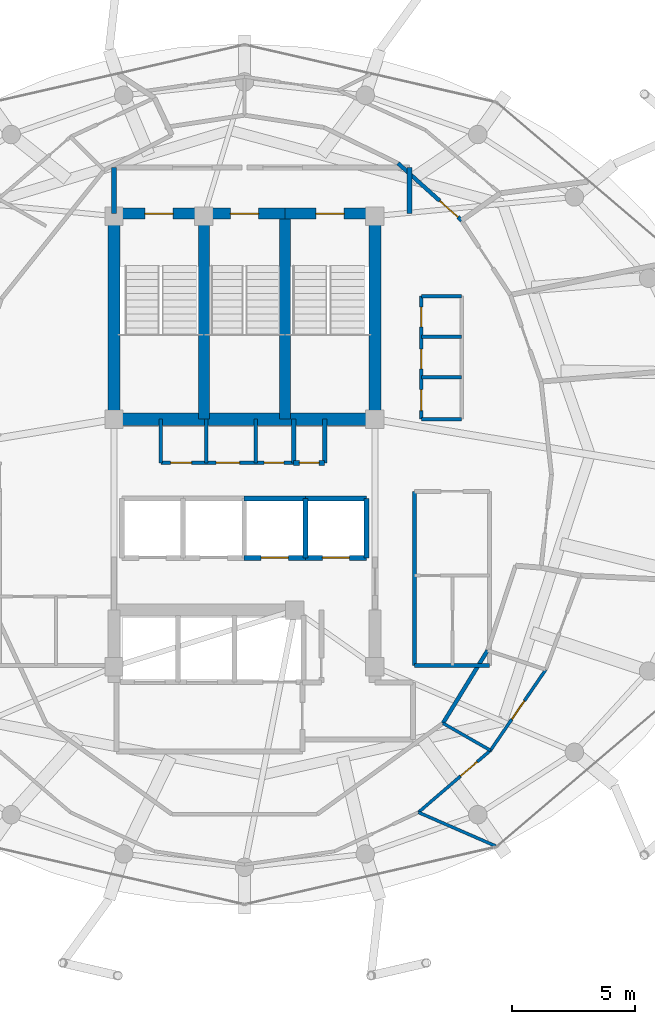
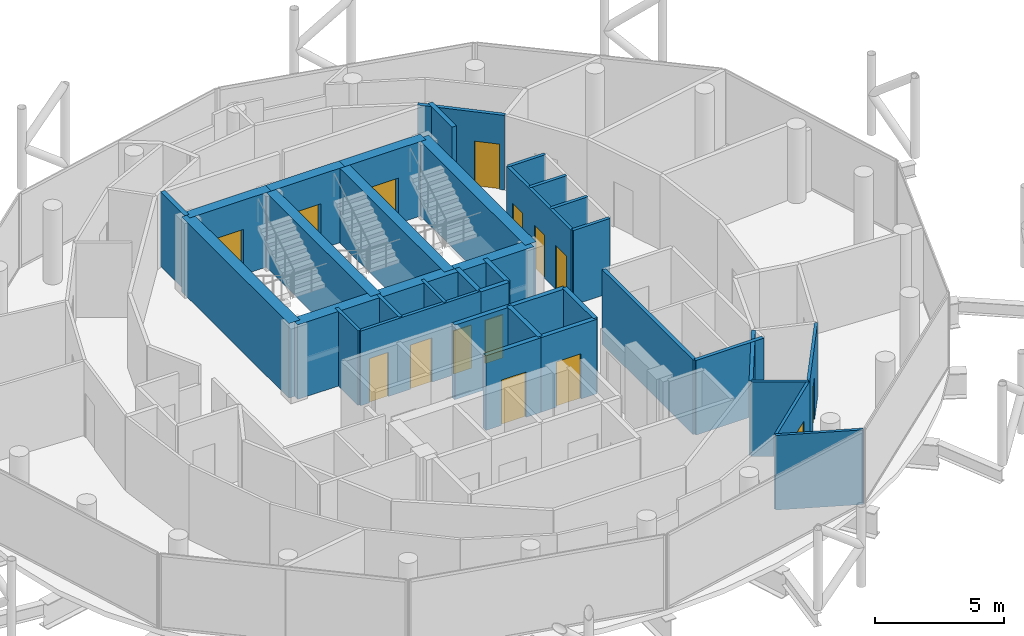
# One storey, part 22 of 25: 36 walls, 15 doors, 15 openings.
"""IFC4 building model written with IfcOpenShell, lengths in metres."""

import ifcopenshell
import ifcopenshell.guid

model = None  # the IFC model being written
_history = None  # IfcOwnerHistory: only IFC2X3 demands one
_inside = {}  # id of a spatial element -> (the spatial element, [elements in it])
_under = {}  # id of a project, library or spatial element -> (it, [spatial elements below it])
_declared = {}  # id of a project -> (the project, [libraries it declares])
_typed = {}  # id of a type object -> (the type object, [elements of that type])
_made_of = {}  # id of a material, layer set ... -> (it, [elements and type objects made of it])


def new_model(schema):
    """Start an empty IFC model of exactly this schema.

    Asked for "IFC4X3", IfcOpenShell would pick the latest addendum, in which some entities
    have other attributes; the version numbers below select the first issue.
    IFC2X3 requires an IfcOwnerHistory on every rooted entity: one is made here for all.
    """
    global model, _history
    if schema == "IFC4X3":
        model = ifcopenshell.file(schema_version=(4, 3, 0, 0))
    else:
        model = ifcopenshell.file(schema=schema)
    _inside.clear()
    _under.clear()
    _declared.clear()
    _typed.clear()
    _made_of.clear()
    _history = None
    if model.schema == "IFC2X3":
        org = make("IfcOrganization", Name="unknown")
        user = make(
            "IfcPersonAndOrganization",
            ThePerson=make("IfcPerson", FamilyName="unknown"),
            TheOrganization=org,
        )
        app = make(
            "IfcApplication",
            ApplicationDeveloper=org,
            Version="unknown",
            ApplicationFullName="unknown",
            ApplicationIdentifier="unknown",
        )
        _history = make(
            "IfcOwnerHistory",
            OwningUser=user,
            OwningApplication=app,
            ChangeAction="ADDED",
            CreationDate=0,
        )
    return model


def make(cls, **values):
    """One entity of the class cls with the attributes given. An attribute that is None is left unset."""
    return model.create_entity(
        cls, **{name: value for name, value in values.items() if value is not None}
    )


def rooted(cls, **values):
    """An entity with a GlobalId (a new one), such as an element, a storey or a relation."""
    return make(cls, GlobalId=ifcopenshell.guid.new(), OwnerHistory=_history, **values)


def si_unit(unit_type, name, prefix=None):
    """IfcSIUnit, for example si_unit("LENGTHUNIT", "METRE", prefix="MILLI")."""
    return make("IfcSIUnit", UnitType=unit_type, Prefix=prefix, Name=name)


def assignment(units):
    """IfcUnitAssignment: the units of a project."""
    return None if units is None else make("IfcUnitAssignment", Units=units)


def point(xyz):
    """IfcCartesianPoint."""
    return None if xyz is None else make("IfcCartesianPoint", Coordinates=xyz)


def direction(xyz):
    """IfcDirection."""
    return None if xyz is None else make("IfcDirection", DirectionRatios=xyz)


def frame(location, z_axis=None, x_axis=None):
    """IfcAxis2Placement3D, a coordinate frame: its origin and axes. An axis left out is left unset."""
    return make(
        "IfcAxis2Placement3D",
        Location=point(location),
        Axis=direction(z_axis),
        RefDirection=direction(x_axis),
    )


def frame_2d(location, x_axis=None):
    """IfcAxis2Placement2D, a coordinate frame in the plane: its origin and x axis."""
    return make(
        "IfcAxis2Placement2D", Location=point(location), RefDirection=direction(x_axis)
    )


def origin():
    """The frame at (0, 0, 0) with its axes left unset."""
    return frame((0.0, 0.0, 0.0))


def place(relative_to, where):
    """IfcLocalPlacement: puts the frame where relative to a parent placement (None: the world)."""
    return make(
        "IfcLocalPlacement", PlacementRelTo=relative_to, RelativePlacement=where
    )


def context(
    kind, dimensions, precision=None, world=None, true_north=None, identifier=None
):
    """IfcGeometricRepresentationContext, for example the 3D "Model" context."""
    return make(
        "IfcGeometricRepresentationContext",
        ContextIdentifier=identifier,
        ContextType=kind,
        CoordinateSpaceDimension=dimensions,
        Precision=precision,
        WorldCoordinateSystem=world,
        TrueNorth=true_north,
    )


def subcontext(parent, identifier, kind, view, scale=None):
    """IfcGeometricRepresentationSubContext, for example "Body" below "Model"."""
    return make(
        "IfcGeometricRepresentationSubContext",
        ContextIdentifier=identifier,
        ContextType=kind,
        ParentContext=parent,
        TargetScale=scale,
        TargetView=view,
    )


def project(units=None, contexts=None):
    """IfcProject with its units and contexts."""
    return rooted(
        "IfcProject",
        Name="project",
        RepresentationContexts=contexts,
        UnitsInContext=assignment(units),
    )


def spatial(cls, under=None, at=None, **own):
    """A site, building, storey or space (cls), placed at a placement, below another one or the project."""
    s = rooted(cls, ObjectPlacement=at, **own)
    if under is not None:
        _under.setdefault(under.id(), (under, []))[1].append(s)
    return s


def profile(cls, at=None, kind="AREA", **sizes):
    """A parametric profile (cls). Its sizes go by their IFC names, for example OverallWidth=200.0."""
    return make(cls, ProfileType=kind, Position=at, **sizes)


def rectangle(**sizes):
    """IfcRectangleProfileDef."""
    return profile("IfcRectangleProfileDef", **sizes)


def extrude(swept, where, along, depth):
    """IfcExtrudedAreaSolid: the profile swept, set in the frame where, extruded along a direction by depth."""
    return make(
        "IfcExtrudedAreaSolid",
        SweptArea=swept,
        Position=where,
        ExtrudedDirection=direction(along),
        Depth=depth,
    )


def shape(context_of_items, identifier, shape_type, items):
    """IfcShapeRepresentation: the items that make up one representation, for example the "Body"."""
    return make(
        "IfcShapeRepresentation",
        ContextOfItems=context_of_items,
        RepresentationIdentifier=identifier,
        RepresentationType=shape_type,
        Items=items,
    )


def material(Name=None, Category=None):
    """IfcMaterial."""
    return make("IfcMaterial", Name=Name, Category=Category)


def layer(
    of_material, thickness, ventilated=None, Name=None, Category=None, Priority=None
):
    """IfcMaterialLayer: one layer of a wall or slab, of a material (None: an air gap)."""
    return make(
        "IfcMaterialLayer",
        Material=of_material,
        LayerThickness=thickness,
        IsVentilated=ventilated,
        Name=Name,
        Category=Category,
        Priority=Priority,
    )


def layer_set(layers, Name=None):
    """IfcMaterialLayerSet."""
    return make("IfcMaterialLayerSet", MaterialLayers=layers, LayerSetName=Name)


def made_of(thing, what):
    """Note that an element or type object is made of a material, layer set ...; save() writes the relation."""
    if what is not None:
        _made_of.setdefault(what.id(), (what, []))[1].append(thing)
    return thing


def type_object(cls, material=None, **own):
    """A type object (cls), such as IfcWallType, which elements share."""
    return made_of(rooted(cls, **own), material)


def element(
    cls,
    number,
    at=None,
    inside=None,
    cuts=None,
    type_object=None,
    material=None,
    context=None,
    identifier="Body",
    shape_type=None,
    held_by="IfcProductDefinitionShape",
    body=None,
    shapes=None,
    **own,
):
    """One element of the class cls, such as IfcWall. Its Tag is "e" and its number.

    at: its placement. inside: the storey or other place that contains it. cuts: it is an
    opening in that element (IfcRelVoidsElement). A single representation is given by context,
    identifier, shape_type and body (its items); several are given by shapes. held_by: the class
    of the entity that holds the representations. save() writes the other relations.
    """
    e = rooted(cls, Tag="e%d" % number, ObjectPlacement=at, **own)
    if body is not None:
        shapes = [shape(context, identifier, shape_type, body)]
    if shapes is not None:
        e.Representation = make(held_by, Representations=shapes)
    if inside is not None:
        _inside.setdefault(inside.id(), (inside, []))[1].append(e)
    if cuts is not None:
        rooted(
            "IfcRelVoidsElement", RelatingBuildingElement=cuts, RelatedOpeningElement=e
        )
    if type_object is not None:
        _typed.setdefault(type_object.id(), (type_object, []))[1].append(e)
    return made_of(e, material)


def fill(opening, filler):
    """IfcRelFillsElement: the door or window that sits in an opening."""
    return rooted(
        "IfcRelFillsElement",
        RelatingOpeningElement=opening,
        RelatedBuildingElement=filler,
    )


def aggregate(whole, parts):
    """IfcRelAggregates: a whole, such as a stair, and the parts it consists of."""
    return rooted("IfcRelAggregates", RelatingObject=whole, RelatedObjects=parts)


def save(model, path):
    """Write the relations noted so far, then the file.

    IfcRelAggregates (storeys below a building ...), IfcRelContainedInSpatialStructure (elements
    in a storey), IfcRelDefinesByType, IfcRelAssociatesMaterial and IfcRelDeclares: one each for
    every whole, place, type object, material and project.
    """
    for whole, parts in _under.values():
        aggregate(whole, parts)
    for where, things in _inside.values():
        rooted(
            "IfcRelContainedInSpatialStructure",
            RelatedElements=things,
            RelatingStructure=where,
        )
    for kind, things in _typed.values():
        rooted("IfcRelDefinesByType", RelatedObjects=things, RelatingType=kind)
    for what, things in _made_of.values():
        rooted("IfcRelAssociatesMaterial", RelatedObjects=things, RelatingMaterial=what)
    for by, libraries in _declared.values():
        rooted("IfcRelDeclares", RelatingContext=by, RelatedDefinitions=libraries)
    model.write(path)


model = new_model("IFC4")

# Units and contexts
model_context = context("Model", 3, precision=1e-05, world=origin(), true_north=direction((0.0, 1.0)))
body_context = subcontext(model_context, "Body", "Model", "MODEL_VIEW")
ifc_project = project(units=[si_unit("LENGTHUNIT", "METRE"), si_unit("AREAUNIT", "SQUARE_METRE"), si_unit("VOLUMEUNIT", "CUBIC_METRE"), si_unit("PLANEANGLEUNIT", "RADIAN"), si_unit("MASSUNIT", "GRAM", prefix="KILO")], contexts=[model_context])

# Site, building, storey
site_placement = place(None, origin())
site = spatial("IfcSite", under=ifc_project, at=site_placement, CompositionType="ELEMENT")
building_placement = place(site_placement, origin())
building = spatial("IfcBuilding", under=site, at=building_placement, Name="Nuhasar Tower", CompositionType="ELEMENT")
storey_placement = place(building_placement, frame((0.0, 0.0, 255.60009765625)))
storey = spatial("IfcBuildingStorey", under=building, at=storey_placement, Name="L63", CompositionType="ELEMENT", Elevation=255.60009765625)

# Wall, opening, door
ifc_material_1 = material(Name="Concrete C50/60", Category="concrete")
ifc_layer_1 = layer(ifc_material_1, 0.449951171875)
ifc_layer_set_1 = layer_set([ifc_layer_1], Name="Concrete C50/60")
wall_type_1 = type_object("IfcWallType", Name="WL-CORE-450", PredefinedType="SHEAR", material=ifc_layer_set_1)
wall_1_placement = place(storey_placement, frame((37.35009765625, 37.39990234375, 0.0), z_axis=(0.0, 0.0, 1.0), x_axis=(-1.0, 0.0, 0.0)))
wall_1 = element("IfcWall", 1, at=wall_1_placement, inside=storey, type_object=wall_type_1, Name="L63 Stairwell Shear Wall ST01-N", PredefinedType="SHEAR", context=body_context, shape_type="SweptSolid", body=[
    extrude(rectangle(XDim=3.650146484375, YDim=0.449951171875, at=frame_2d((1.8251953125, 0.0))), origin(), (0.0, 0.0, 1.0), 3.539794921875),
])
opening_1_placement = place(wall_1_placement, frame((1.25, 0.0, 0.0)))
opening_1 = element("IfcOpeningElement", 2, at=opening_1_placement, cuts=wall_1, Name="Opening DS-01", PredefinedType="OPENING", context=body_context, shape_type="SweptSolid", body=[
    extrude(rectangle(XDim=1.14990234375, YDim=2.14990234375, at=frame_2d((0.574951171875, 1.074951171875))), frame((0.0, 0.23486328125, 0.0), z_axis=(0.0, -1.0, 0.0), x_axis=(1.0, 0.0, 0.0)), (0.0, 0.0, 1.0), 0.469970703125),
])
ifc_material_2 = material(Name="Steel S355", Category="steel")
door_type_1 = type_object("IfcDoorType", Name="DR-STAIR-FD120-1150", OperationType="NOTDEFINED", PredefinedType="DOOR", material=ifc_material_2)
door_1_placement = place(opening_1_placement, origin())
door_1 = element("IfcDoor", 3, at=door_1_placement, inside=storey, type_object=door_type_1, Name="L63 Exit Stair ST-01 Door", OperationType="SINGLE_SWING_RIGHT", OverallHeight=2.14990234375, OverallWidth=1.14990234375, PredefinedType="DOOR", context=body_context, shape_type="SweptSolid", body=[
    extrude(rectangle(XDim=1.14990234375, YDim=2.14990234375, at=frame_2d((0.574951171875, 1.074951171875))), frame((0.0, 0.02490234375, 0.0), z_axis=(0.0, -1.0, 0.0), x_axis=(1.0, 0.0, 0.0)), (0.0, 0.0, 1.0), 0.050048828125),
])
fill(opening_1, door_1)

# Wall
wall_2_placement = place(storey_placement, frame((37.35009765625, 29.050048828125, 0.0), z_axis=(0.0, 0.0, 1.0), x_axis=(0.0, 1.0, 0.0)))
element("IfcWall", 4, at=wall_2_placement, inside=storey, type_object=wall_type_1, Name="L63 Stairwell Shear Wall ST01-E", PredefinedType="SHEAR", context=body_context, shape_type="SweptSolid", body=[
    extrude(rectangle(XDim=8.349853515625, YDim=0.449951171875, at=frame_2d((4.1748046875, 0.0))), origin(), (0.0, 0.0, 1.0), 3.539794921875),
])

# Wall, opening, door
wall_3_placement = place(storey_placement, frame((40.64990234375, 37.39990234375, 0.0), z_axis=(0.0, 0.0, 1.0), x_axis=(-1.0, 0.0, 0.0)))
wall_3 = element("IfcWall", 5, at=wall_3_placement, inside=storey, type_object=wall_type_1, Name="L63 Stairwell Shear Wall ST03-N", PredefinedType="SHEAR", context=body_context, shape_type="SweptSolid", body=[
    extrude(rectangle(XDim=3.2998046875, YDim=0.449951171875, at=frame_2d((1.64990234375, 0.0))), origin(), (0.0, 0.0, 1.0), 3.539794921875),
])
opening_2_placement = place(wall_3_placement, frame((1.074951171875, 0.0, 0.0)))
opening_2 = element("IfcOpeningElement", 6, at=opening_2_placement, cuts=wall_3, Name="Opening DS-01", PredefinedType="OPENING", context=body_context, shape_type="SweptSolid", body=[
    extrude(rectangle(XDim=1.14990234375, YDim=2.14990234375, at=frame_2d((0.574951171875, 1.074951171875))), frame((0.0, 0.23486328125, 0.0), z_axis=(0.0, -1.0, 0.0), x_axis=(1.0, 0.0, 0.0)), (0.0, 0.0, 1.0), 0.469970703125),
])
door_2_placement = place(opening_2_placement, origin())
door_2 = element("IfcDoor", 7, at=door_2_placement, inside=storey, type_object=door_type_1, Name="L63 Exit Stair ST-03 Door", OperationType="SINGLE_SWING_RIGHT", OverallHeight=2.14990234375, OverallWidth=1.14990234375, PredefinedType="DOOR", context=body_context, shape_type="SweptSolid", body=[
    extrude(rectangle(XDim=1.14990234375, YDim=2.14990234375, at=frame_2d((0.574951171875, 1.074951171875))), frame((0.0, 0.02490234375, 0.0), z_axis=(0.0, -1.0, 0.0), x_axis=(1.0, 0.0, 0.0)), (0.0, 0.0, 1.0), 0.050048828125),
])
fill(opening_2, door_2)

# Wall
wall_4_placement = place(storey_placement, frame((40.64990234375, 29.050048828125, 0.0), z_axis=(0.0, 0.0, 1.0), x_axis=(0.0, 1.0, 0.0)))
element("IfcWall", 8, at=wall_4_placement, inside=storey, type_object=wall_type_1, Name="L63 Stairwell Shear Wall ST03-E", PredefinedType="SHEAR", context=body_context, shape_type="SweptSolid", body=[
    extrude(rectangle(XDim=8.349853515625, YDim=0.449951171875, at=frame_2d((4.1748046875, 0.0))), origin(), (0.0, 0.0, 1.0), 3.539794921875),
])

# Wall, opening, door
wall_5_placement = place(storey_placement, frame((44.300048828125, 37.39990234375, 0.0), z_axis=(0.0, 0.0, 1.0), x_axis=(-1.0, 0.0, 0.0)))
wall_5 = element("IfcWall", 9, at=wall_5_placement, inside=storey, type_object=wall_type_1, Name="L63 Stairwell Shear Wall ST02-N", PredefinedType="SHEAR", context=body_context, shape_type="SweptSolid", body=[
    extrude(rectangle(XDim=3.650146484375, YDim=0.449951171875, at=frame_2d((1.8251953125, 0.0))), origin(), (0.0, 0.0, 1.0), 3.539794921875),
])
opening_3_placement = place(wall_5_placement, frame((1.25, 0.0, 0.0)))
opening_3 = element("IfcOpeningElement", 10, at=opening_3_placement, cuts=wall_5, Name="Opening DS-01", PredefinedType="OPENING", context=body_context, shape_type="SweptSolid", body=[
    extrude(rectangle(XDim=1.14990234375, YDim=2.14990234375, at=frame_2d((0.574951171875, 1.074951171875))), frame((0.0, 0.23486328125, 0.0), z_axis=(0.0, -1.0, 0.0), x_axis=(1.0, 0.0, 0.0)), (0.0, 0.0, 1.0), 0.469970703125),
])
door_3_placement = place(opening_3_placement, origin())
door_3 = element("IfcDoor", 11, at=door_3_placement, inside=storey, type_object=door_type_1, Name="L63 Exit Stair ST-02 Door", OperationType="SINGLE_SWING_LEFT", OverallHeight=2.14990234375, OverallWidth=1.14990234375, PredefinedType="DOOR", context=body_context, shape_type="SweptSolid", body=[
    extrude(rectangle(XDim=1.14990234375, YDim=2.14990234375, at=frame_2d((0.574951171875, 1.074951171875))), frame((0.0, 0.02490234375, 0.0), z_axis=(0.0, -1.0, 0.0), x_axis=(1.0, 0.0, 0.0)), (0.0, 0.0, 1.0), 0.050048828125),
])
fill(opening_3, door_3)

# Walls
ifc_layer_2 = layer(ifc_material_1, 0.5)
ifc_layer_set_2 = layer_set([ifc_layer_2], Name="Concrete C50/60")
wall_type_2 = type_object("IfcWallType", Name="WL-CORE-500", PredefinedType="SHEAR", material=ifc_layer_set_2)
for number, where, z_axis, x_axis, name in (
    (12, (33.699951171875, 29.050048828125, 0.0), (0.0, 0.0, 1.0), (0.0, 1.0, 0.0), "L63 Core Shear Wall CW-NW CW-500"),
    (13, (44.300048828125, 29.050048828125, 0.0), (0.0, 0.0, 1.0), (0.0, 1.0, 0.0), "L63 Core Shear Wall CW-NE CW-500"),
):
    element("IfcWall", number, at=place(storey_placement, frame(where, z_axis=z_axis, x_axis=x_axis)), inside=storey, type_object=wall_type_2, Name=name, PredefinedType="SHEAR", context=body_context, shape_type="SweptSolid", body=[
        extrude(rectangle(XDim=8.349853515625, YDim=0.5, at=frame_2d((4.1748046875, 0.0))), origin(), (0.0, 0.0, 1.0), 3.539794921875),
    ])
wall_6_placement = place(storey_placement, frame((33.699951171875, 29.050048828125, 0.0), z_axis=(0.0, 0.0, 1.0), x_axis=(1.0, 0.0, 0.0)))
element("IfcWall", 14, at=wall_6_placement, inside=storey, type_object=wall_type_2, Name="L63 Core Shear Wall CW-N1 CW-500", PredefinedType="SHEAR", context=body_context, shape_type="SweptSolid", body=[
    extrude(rectangle(XDim=10.60009765625, YDim=0.5, at=frame_2d((5.300048828125, 0.0))), origin(), (0.0, 0.0, 1.0), 3.539794921875),
])
ifc_material_3 = material(Name="Gypsum Board", Category="gypsum")
ifc_layer_3 = layer(ifc_material_3, 0.159912109375)
ifc_layer_set_3 = layer_set([ifc_layer_3], Name="Gypsum Board")
wall_type_3 = type_object("IfcWallType", Name="WL-CORR-160", PredefinedType="PARTITIONING", material=ifc_layer_set_3)
wall_7_placement = place(storey_placement, frame((45.89990234375, 19.050048828125, 0.0), z_axis=(0.0, 0.0, 1.0), x_axis=(1.0, 0.0, 0.0)))
element("IfcWall", 15, at=wall_7_placement, inside=storey, type_object=wall_type_3, Name="L63 Interior Partition RECL-B2-S", PredefinedType="PARTITIONING", context=body_context, shape_type="SweptSolid", body=[
    extrude(rectangle(XDim=3.050048828125, YDim=0.159912109375, at=frame_2d((1.52490234375, 0.0))), origin(), (0.0, 0.0, 1.0), 3.539794921875),
])
wall_8_placement = place(storey_placement, frame((45.89990234375, 19.050048828125, 0.0), z_axis=(0.0, 0.0, 1.0), x_axis=(0.0, 1.0, 0.0)))
element("IfcWall", 16, at=wall_8_placement, inside=storey, type_object=wall_type_3, Name="L63 Interior Partition RECL-B2-W", PredefinedType="PARTITIONING", context=body_context, shape_type="SweptSolid", body=[
    extrude(rectangle(XDim=7.070068359375, YDim=0.159912109375, at=frame_2d((3.53515625, 0.0))), origin(), (0.0, 0.0, 1.0), 3.539794921875),
])

# Wall, opening, door
wall_9_placement = place(storey_placement, frame((45.235107421875, 39.444091796875, 0.0), z_axis=(0.0, 0.0, 1.0), x_axis=(0.743958104357, -0.668226263299, 0.0)))
wall_9 = element("IfcWall", 17, at=wall_9_placement, inside=storey, type_object=wall_type_3, Name="L63 Interior Partition CORR-06", PredefinedType="PARTITIONING", context=body_context, shape_type="SweptSolid", body=[
    extrude(rectangle(XDim=3.471923828125, YDim=0.159912109375, at=frame_2d((1.73583984375, 0.0))), origin(), (0.0, 0.0, 1.0), 3.539794921875),
])
opening_4_placement = place(wall_9_placement, frame((2.27197265625, 0.0, 0.0)))
opening_4 = element("IfcOpeningElement", 18, at=opening_4_placement, cuts=wall_9, Name="Opening DU-02", PredefinedType="OPENING", context=body_context, shape_type="SweptSolid", body=[
    extrude(rectangle(XDim=1.0, YDim=2.14990234375, at=frame_2d((0.5, 1.074951171875))), frame((0.0, 0.08984375, 0.0), z_axis=(0.0, -1.0, 0.0), x_axis=(1.0, 0.0, 0.0)), (0.0, 0.0, 1.0), 0.179931640625),
])
ifc_material_4 = material(Name="Timber Oak", Category="wood")
door_type_2 = type_object("IfcDoorType", Name="DR-FLAT-FD60-1000", OperationType="NOTDEFINED", PredefinedType="DOOR", material=ifc_material_4)
door_4_placement = place(opening_4_placement, origin())
door_4 = element("IfcDoor", 19, at=door_4_placement, inside=storey, type_object=door_type_2, Name="L63 North-East Sky Penthouse Entrance Door", OperationType="SINGLE_SWING_RIGHT", OverallHeight=2.14990234375, OverallWidth=1.0, PredefinedType="DOOR", context=body_context, shape_type="SweptSolid", body=[
    extrude(rectangle(XDim=1.0, YDim=2.14990234375, at=frame_2d((0.5, 1.074951171875))), frame((0.0, 0.02490234375, 0.0), z_axis=(0.0, -1.0, 0.0), x_axis=(1.0, 0.0, 0.0)), (0.0, 0.0, 1.0), 0.050048828125),
])
fill(opening_4, door_4)

# Walls
wall_10_placement = place(storey_placement, frame((47.06103515625, 16.702880859375, 0.0), z_axis=(0.0, 0.0, 1.0), x_axis=(0.522486120877, 0.852647789823, 0.0)))
element("IfcWall", 20, at=wall_10_placement, inside=storey, type_object=wall_type_3, Name="L63 Interior Partition UWEST-CORE-S1-42", PredefinedType="PARTITIONING", context=body_context, shape_type="SweptSolid", body=[
    extrude(rectangle(XDim=3.468017578125, YDim=0.159912109375, at=frame_2d((1.73388671875, 0.0))), origin(), (0.0, 0.0, 1.0), 3.539794921875),
])
ifc_material_5 = material(Name="Concrete C45/55", Category="concrete")
ifc_layer_4 = layer(ifc_material_5, 0.199951171875)
ifc_layer_set_4 = layer_set([ifc_layer_4], Name="Concrete C45/55")
wall_type_4 = type_object("IfcWallType", Name="WL-LOBBY-200", PredefinedType="SOLIDWALL", material=ifc_layer_set_4)
for number, where, z_axis, x_axis, name in (
    (21, (33.699951171875, 37.39990234375, 0.0), (0.0, 0.0, 1.0), (0.0, 1.0, 0.0), "L63 Interior Partition NSL-W"),
    (22, (45.699951171875, 37.39990234375, 0.0), (0.0, 0.0, 1.0), (0.0, 1.0, 0.0), "L63 Interior Partition NSL-E"),
):
    element("IfcWall", number, at=place(storey_placement, frame(where, z_axis=z_axis, x_axis=x_axis)), inside=storey, type_object=wall_type_4, Name=name, PredefinedType="SOLIDWALL", context=body_context, shape_type="SweptSolid", body=[
        extrude(rectangle(XDim=1.880126953125, YDim=0.199951171875, at=frame_2d((0.93994140625, 0.0))), origin(), (0.0, 0.0, 1.0), 3.539794921875),
    ])

# Wall, opening, door
ifc_layer_5 = layer(ifc_material_3, 0.125)
ifc_layer_set_5 = layer_set([ifc_layer_5], Name="Gypsum Board")
wall_type_5 = type_object("IfcWallType", Name="WL-PART-125", PredefinedType="PARTITIONING", material=ifc_layer_set_5)
wall_11_placement = place(storey_placement, frame((51.237060546875, 18.8798828125, 0.0), z_axis=(0.0, 0.0, 1.0), x_axis=(-0.5649172284, -0.825147577744, 0.0)))
wall_11 = element("IfcWall", 23, at=wall_11_placement, inside=storey, type_object=wall_type_5, Name="L63 Interior Partition USM-2-K-42", PredefinedType="PARTITIONING", context=body_context, shape_type="SweptSolid", body=[
    extrude(rectangle(XDim=3.97607421875, YDim=0.125, at=frame_2d((1.988037109375, 0.0))), origin(), (0.0, 0.0, 1.0), 3.539794921875),
])
opening_5_placement = place(wall_11_placement, frame((1.5380859375, 0.0, 0.0)))
opening_5 = element("IfcOpeningElement", 24, at=opening_5_placement, cuts=wall_11, Name="Opening DR-01", PredefinedType="OPENING", context=body_context, shape_type="SweptSolid", body=[
    extrude(rectangle(XDim=0.89990234375, YDim=2.10009765625, at=frame_2d((0.449951171875, 1.050048828125))), frame((0.0, 0.072509765625, 0.0), z_axis=(0.0, -1.0, 0.0), x_axis=(1.0, 0.0, 0.0)), (0.0, 0.0, 1.0), 0.14501953125),
])
door_type_3 = type_object("IfcDoorType", Name="DR-ROOM-900", OperationType="NOTDEFINED", PredefinedType="DOOR", material=ifc_material_4)
door_5_placement = place(opening_5_placement, origin())
door_5 = element("IfcDoor", 25, at=door_5_placement, inside=storey, type_object=door_type_3, Name="L63 South-West Sky Home Kitchen Door", OperationType="SINGLE_SWING_LEFT", OverallHeight=2.10009765625, OverallWidth=0.89990234375, PredefinedType="DOOR", context=body_context, shape_type="SweptSolid", body=[
    extrude(rectangle(XDim=0.89990234375, YDim=2.10009765625, at=frame_2d((0.449951171875, 1.050048828125))), frame((0.0, 0.02490234375, 0.0), z_axis=(0.0, -1.0, 0.0), x_axis=(1.0, 0.0, 0.0)), (0.0, 0.0, 1.0), 0.050048828125),
])
fill(opening_5, door_5)

# Wall
wall_12_placement = place(storey_placement, frame((47.06103515625, 16.702880859375, 0.0), z_axis=(0.0, 0.0, 1.0), x_axis=(0.868060627231, -0.496458203126, 0.0)))
element("IfcWall", 26, at=wall_12_placement, inside=storey, type_object=wall_type_5, Name="L63 Interior Partition USI-2-DK", PredefinedType="PARTITIONING", context=body_context, shape_type="SweptSolid", body=[
    extrude(rectangle(XDim=2.223388671875, YDim=0.125, at=frame_2d((1.11181640625, 0.0))), origin(), (0.0, 0.0, 1.0), 3.539794921875),
])

# Wall, opening, door
wall_13_placement = place(storey_placement, frame((48.990966796875, 15.59912109375, 0.0), z_axis=(0.0, 0.0, 1.0), x_axis=(-0.758094504626, -0.652144709444, 0.0)))
wall_13 = element("IfcWall", 27, at=wall_13_placement, inside=storey, type_object=wall_type_5, Name="L63 Interior Partition USM-2-D-40", PredefinedType="PARTITIONING", context=body_context, shape_type="SweptSolid", body=[
    extrude(rectangle(XDim=3.859619140625, YDim=0.125, at=frame_2d((1.9296875, 0.0))), origin(), (0.0, 0.0, 1.0), 3.539794921875),
])
opening_6_placement = place(wall_13_placement, frame((0.701904296875, 0.0, 0.0)))
opening_6 = element("IfcOpeningElement", 28, at=opening_6_placement, cuts=wall_13, Name="Opening DR-01", PredefinedType="OPENING", context=body_context, shape_type="SweptSolid", body=[
    extrude(rectangle(XDim=0.89990234375, YDim=2.10009765625, at=frame_2d((0.449951171875, 1.050048828125))), frame((0.0, 0.072509765625, 0.0), z_axis=(0.0, -1.0, 0.0), x_axis=(1.0, 0.0, 0.0)), (0.0, 0.0, 1.0), 0.14501953125),
])
door_6_placement = place(opening_6_placement, origin())
door_6 = element("IfcDoor", 29, at=door_6_placement, inside=storey, type_object=door_type_3, Name="L63 South-West Sky Home Master Bedroom Door", OperationType="SINGLE_SWING_LEFT", OverallHeight=2.10009765625, OverallWidth=0.89990234375, PredefinedType="DOOR", context=body_context, shape_type="SweptSolid", body=[
    extrude(rectangle(XDim=0.89990234375, YDim=2.10009765625, at=frame_2d((0.449951171875, 1.050048828125))), frame((0.0, 0.02490234375, 0.0), z_axis=(0.0, -1.0, 0.0), x_axis=(1.0, 0.0, 0.0)), (0.0, 0.0, 1.0), 0.050048828125),
])
fill(opening_6, door_6)

# Walls
wall_14_placement = place(storey_placement, frame((46.06494140625, 13.08203125, 0.0), z_axis=(0.0, 0.0, 1.0), x_axis=(0.916707983788, -0.399557846199, 0.0)))
element("IfcWall", 30, at=wall_14_placement, inside=storey, type_object=wall_type_5, Name="L63 Interior Partition USO-2-BD", PredefinedType="PARTITIONING", context=body_context, shape_type="SweptSolid", body=[
    extrude(rectangle(XDim=3.43408203125, YDim=0.125, at=frame_2d((1.717041015625, 0.0))), origin(), (0.0, 0.0, 1.0), 3.539794921875),
])
ifc_layer_6 = layer(ifc_material_5, 0.199951171875)
ifc_layer_set_6 = layer_set([ifc_layer_6], Name="Concrete C45/55")
wall_type_6 = type_object("IfcWallType", Name="WL-SHAFT-200", PredefinedType="SOLIDWALL", material=ifc_layer_set_6)
for number, where, z_axis, x_axis, name in (
    (31, (41.0, 27.280029296875, 0.0), (0.0, 0.0, 1.0), (0.0, 1.0, 0.0), "L63 Interior Partition RSRN-W"),
    (32, (42.260009765625, 27.280029296875, 0.0), (0.0, 0.0, 1.0), (0.0, 1.0, 0.0), "L63 Interior Partition RSRN-E"),
):
    element("IfcWall", number, at=place(storey_placement, frame(where, z_axis=z_axis, x_axis=x_axis)), inside=storey, type_object=wall_type_6, Name=name, PredefinedType="SOLIDWALL", context=body_context, shape_type="SweptSolid", body=[
        extrude(rectangle(XDim=1.77001953125, YDim=0.199951171875, at=frame_2d((0.885009765625, 0.0))), origin(), (0.0, 0.0, 1.0), 3.539794921875),
    ])

# Wall, opening, door
wall_15_placement = place(storey_placement, frame((41.0, 27.280029296875, 0.0), z_axis=(0.0, 0.0, 1.0), x_axis=(1.0, 0.0, 0.0)))
wall_15 = element("IfcWall", 33, at=wall_15_placement, inside=storey, type_object=wall_type_6, Name="L63 Interior Partition RSRN-S", PredefinedType="SOLIDWALL", context=body_context, shape_type="SweptSolid", body=[
    extrude(rectangle(XDim=1.260009765625, YDim=0.199951171875, at=frame_2d((0.6298828125, 0.0))), origin(), (0.0, 0.0, 1.0), 3.539794921875),
])
opening_7_placement = place(wall_15_placement, frame((0.22998046875, 0.0, 0.0)))
opening_7 = element("IfcOpeningElement", 34, at=opening_7_placement, cuts=wall_15, Name="Opening DM-01", PredefinedType="OPENING", context=body_context, shape_type="SweptSolid", body=[
    extrude(rectangle(XDim=0.800048828125, YDim=2.050048828125, at=frame_2d((0.39990234375, 1.02490234375))), frame((0.0, 0.10986328125, 0.0), z_axis=(0.0, -1.0, 0.0), x_axis=(1.0, 0.0, 0.0)), (0.0, 0.0, 1.0), 0.219970703125),
])
door_type_4 = type_object("IfcDoorType", Name="DR-RISER-FD60-800", OperationType="NOTDEFINED", PredefinedType="DOOR", material=ifc_material_2)
door_7_placement = place(opening_7_placement, origin())
door_7 = element("IfcDoor", 35, at=door_7_placement, inside=storey, type_object=door_type_4, Name="L63 North Smoke Riser Door", OperationType="SINGLE_SWING_RIGHT", OverallHeight=2.050048828125, OverallWidth=0.800048828125, PredefinedType="DOOR", context=body_context, shape_type="SweptSolid", body=[
    extrude(rectangle(XDim=0.800048828125, YDim=2.050048828125, at=frame_2d((0.39990234375, 1.02490234375))), frame((0.0, 0.02490234375, 0.0), z_axis=(0.0, -1.0, 0.0), x_axis=(1.0, 0.0, 0.0)), (0.0, 0.0, 1.0), 0.050048828125),
])
fill(opening_7, door_7)

wall_16_placement = place(storey_placement, frame((38.97998046875, 23.419921875, 0.0), z_axis=(0.0, 0.0, 1.0), x_axis=(1.0, 0.0, 0.0)))
wall_16 = element("IfcWall", 36, at=wall_16_placement, inside=storey, type_object=wall_type_6, Name="L63 Interior Partition SHF-PL-H03-S", PredefinedType="SOLIDWALL", context=body_context, shape_type="SweptSolid", body=[
    extrude(rectangle(XDim=2.5, YDim=0.199951171875, at=frame_2d((1.25, 0.0))), origin(), (0.0, 0.0, 1.0), 3.539794921875),
])
opening_8_placement = place(wall_16_placement, frame((0.699951171875, 0.0, 0.0)))
opening_8 = element("IfcOpeningElement", 37, at=opening_8_placement, cuts=wall_16, Name="Opening LD-H03", PredefinedType="OPENING", context=body_context, shape_type="SweptSolid", body=[
    extrude(rectangle(XDim=1.10009765625, YDim=2.14990234375, at=frame_2d((0.550048828125, 1.074951171875))), frame((0.0, 0.10986328125, 0.0), z_axis=(0.0, -1.0, 0.0), x_axis=(1.0, 0.0, 0.0)), (0.0, 0.0, 1.0), 0.219970703125),
])
ifc_material_6 = material(Name="Stainless Steel 316L", Category="steel")
door_type_5 = type_object("IfcDoorType", Name="LD-PAX-1100", OperationType="DOUBLE_DOOR_SLIDING", PredefinedType="DOOR", material=ifc_material_6)
door_8_placement = place(opening_8_placement, origin())
door_8 = element("IfcDoor", 38, at=door_8_placement, inside=storey, type_object=door_type_5, Name="L63 Lift Landing Door PL-H03", OperationType="DOUBLE_DOOR_SLIDING", OverallHeight=2.14990234375, OverallWidth=1.10009765625, PredefinedType="DOOR", context=body_context, shape_type="SweptSolid", body=[
    extrude(rectangle(XDim=1.10009765625, YDim=2.14990234375, at=frame_2d((0.550048828125, 1.074951171875))), frame((0.0, 0.02490234375, 0.0), z_axis=(0.0, -1.0, 0.0), x_axis=(1.0, 0.0, 0.0)), (0.0, 0.0, 1.0), 0.050048828125),
])
fill(opening_8, door_8)

# Walls
wall_17_placement = place(storey_placement, frame((38.97998046875, 25.830078125, 0.0), z_axis=(0.0, 0.0, 1.0), x_axis=(1.0, 0.0, 0.0)))
element("IfcWall", 39, at=wall_17_placement, inside=storey, type_object=wall_type_6, Name="L63 Interior Partition SHF-PL-H03-N", PredefinedType="SOLIDWALL", context=body_context, shape_type="SweptSolid", body=[
    extrude(rectangle(XDim=2.5, YDim=0.199951171875, at=frame_2d((1.25, 0.0))), origin(), (0.0, 0.0, 1.0), 3.539794921875),
])
wall_18_placement = place(storey_placement, frame((41.469970703125, 23.419921875, 0.0), z_axis=(0.0, 0.0, 1.0), x_axis=(0.0, 1.0, 0.0)))
element("IfcWall", 40, at=wall_18_placement, inside=storey, type_object=wall_type_6, Name="L63 Interior Partition SHF-PL-H03-E", PredefinedType="SOLIDWALL", context=body_context, shape_type="SweptSolid", body=[
    extrude(rectangle(XDim=2.41015625, YDim=0.199951171875, at=frame_2d((1.205078125, 0.0))), origin(), (0.0, 0.0, 1.0), 3.539794921875),
])

# Wall, opening, door
wall_19_placement = place(storey_placement, frame((41.4599609375, 23.419921875, 0.0), z_axis=(0.0, 0.0, 1.0), x_axis=(1.0, 0.0, 0.0)))
wall_19 = element("IfcWall", 41, at=wall_19_placement, inside=storey, type_object=wall_type_6, Name="L63 Interior Partition SHF-PL-H04-S", PredefinedType="SOLIDWALL", context=body_context, shape_type="SweptSolid", body=[
    extrude(rectangle(XDim=2.5, YDim=0.199951171875, at=frame_2d((1.25, 0.0))), origin(), (0.0, 0.0, 1.0), 3.539794921875),
])
opening_9_placement = place(wall_19_placement, frame((0.699951171875, 0.0, 0.0)))
opening_9 = element("IfcOpeningElement", 42, at=opening_9_placement, cuts=wall_19, Name="Opening LD-H04", PredefinedType="OPENING", context=body_context, shape_type="SweptSolid", body=[
    extrude(rectangle(XDim=1.10009765625, YDim=2.14990234375, at=frame_2d((0.550048828125, 1.074951171875))), frame((0.0, 0.10986328125, 0.0), z_axis=(0.0, -1.0, 0.0), x_axis=(1.0, 0.0, 0.0)), (0.0, 0.0, 1.0), 0.219970703125),
])
door_9_placement = place(opening_9_placement, origin())
door_9 = element("IfcDoor", 43, at=door_9_placement, inside=storey, type_object=door_type_5, Name="L63 Lift Landing Door PL-H04", OperationType="DOUBLE_DOOR_SLIDING", OverallHeight=2.14990234375, OverallWidth=1.10009765625, PredefinedType="DOOR", context=body_context, shape_type="SweptSolid", body=[
    extrude(rectangle(XDim=1.10009765625, YDim=2.14990234375, at=frame_2d((0.550048828125, 1.074951171875))), frame((0.0, 0.02490234375, 0.0), z_axis=(0.0, -1.0, 0.0), x_axis=(1.0, 0.0, 0.0)), (0.0, 0.0, 1.0), 0.050048828125),
])
fill(opening_9, door_9)

# Walls
wall_20_placement = place(storey_placement, frame((41.4599609375, 25.830078125, 0.0), z_axis=(0.0, 0.0, 1.0), x_axis=(1.0, 0.0, 0.0)))
element("IfcWall", 44, at=wall_20_placement, inside=storey, type_object=wall_type_6, Name="L63 Interior Partition SHF-PL-H04-N", PredefinedType="SOLIDWALL", context=body_context, shape_type="SweptSolid", body=[
    extrude(rectangle(XDim=2.5, YDim=0.199951171875, at=frame_2d((1.25, 0.0))), origin(), (0.0, 0.0, 1.0), 3.539794921875),
])
wall_21_placement = place(storey_placement, frame((43.9599609375, 23.419921875, 0.0), z_axis=(0.0, 0.0, 1.0), x_axis=(0.0, 1.0, 0.0)))
element("IfcWall", 45, at=wall_21_placement, inside=storey, type_object=wall_type_6, Name="L63 Interior Partition SHF-PL-H04-E", PredefinedType="SOLIDWALL", context=body_context, shape_type="SweptSolid", body=[
    extrude(rectangle(XDim=2.41015625, YDim=0.199951171875, at=frame_2d((1.205078125, 0.0))), origin(), (0.0, 0.0, 1.0), 3.539794921875),
])
ifc_material_7 = material(Name="Concrete C40/50 precast", Category="concrete")
ifc_layer_7 = layer(ifc_material_7, 0.139892578125)
ifc_layer_set_7 = layer_set([ifc_layer_7], Name="Concrete C40/50 precast")
wall_type_7 = type_object("IfcWallType", Name="WL-WET-140", PredefinedType="PARTITIONING", material=ifc_layer_set_7)
wall_22_placement = place(storey_placement, frame((35.60009765625, 27.280029296875, 0.0), z_axis=(0.0, 0.0, 1.0), x_axis=(0.0, 1.0, 0.0)))
element("IfcWall", 46, at=wall_22_placement, inside=storey, type_object=wall_type_7, Name="L63 Interior Partition CSVC-W", PredefinedType="PARTITIONING", context=body_context, shape_type="SweptSolid", body=[
    extrude(rectangle(XDim=1.77001953125, YDim=0.139892578125, at=frame_2d((0.885009765625, 0.0))), origin(), (0.0, 0.0, 1.0), 3.539794921875),
])

# Wall, openings, doors
wall_23_placement = place(storey_placement, frame((35.60009765625, 27.280029296875, 0.0), z_axis=(0.0, 0.0, 1.0), x_axis=(1.0, 0.0, 0.0)))
wall_23 = element("IfcWall", 47, at=wall_23_placement, inside=storey, type_object=wall_type_7, Name="L63 Interior Partition CSVC-S", PredefinedType="PARTITIONING", context=body_context, shape_type="SweptSolid", body=[
    extrude(rectangle(XDim=5.39990234375, YDim=0.139892578125, at=frame_2d((2.699951171875, 0.0))), origin(), (0.0, 0.0, 1.0), 3.539794921875),
])
opening_10_placement = place(wall_23_placement, frame((0.39990234375, 0.0, 0.0)))
opening_10 = element("IfcOpeningElement", 48, at=opening_10_placement, cuts=wall_23, Name="Opening DB-01", PredefinedType="OPENING", context=body_context, shape_type="SweptSolid", body=[
    extrude(rectangle(XDim=0.85009765625, YDim=2.10009765625, at=frame_2d((0.425048828125, 1.050048828125))), frame((0.0, 0.080078125, 0.0), z_axis=(0.0, -1.0, 0.0), x_axis=(1.0, 0.0, 0.0)), (0.0, 0.0, 1.0), 0.159912109375),
])
opening_11_placement = place(wall_23_placement, frame((2.25, 0.0, 0.0)))
opening_11 = element("IfcOpeningElement", 49, at=opening_11_placement, cuts=wall_23, Name="Opening DA-01", PredefinedType="OPENING", context=body_context, shape_type="SweptSolid", body=[
    extrude(rectangle(XDim=0.949951171875, YDim=2.10009765625, at=frame_2d((0.47509765625, 1.050048828125))), frame((0.0, 0.080078125, 0.0), z_axis=(0.0, -1.0, 0.0), x_axis=(1.0, 0.0, 0.0)), (0.0, 0.0, 1.0), 0.159912109375),
])
opening_12_placement = place(wall_23_placement, frame((4.199951171875, 0.0, 0.0)))
opening_12 = element("IfcOpeningElement", 50, at=opening_12_placement, cuts=wall_23, Name="Opening DM-01", PredefinedType="OPENING", context=body_context, shape_type="SweptSolid", body=[
    extrude(rectangle(XDim=0.800048828125, YDim=2.050048828125, at=frame_2d((0.39990234375, 1.02490234375))), frame((0.0, 0.080078125, 0.0), z_axis=(0.0, -1.0, 0.0), x_axis=(1.0, 0.0, 0.0)), (0.0, 0.0, 1.0), 0.159912109375),
])
door_type_6 = type_object("IfcDoorType", Name="DR-ACCWC-950", OperationType="NOTDEFINED", PredefinedType="DOOR", material=ifc_material_4)
door_10_placement = place(opening_11_placement, origin())
door_10 = element("IfcDoor", 51, at=door_10_placement, inside=storey, type_object=door_type_6, Name="L63 Core Accessible WC Door", OperationType="SINGLE_SWING_RIGHT", OverallHeight=2.10009765625, OverallWidth=0.949951171875, PredefinedType="DOOR", context=body_context, shape_type="SweptSolid", body=[
    extrude(rectangle(XDim=0.949951171875, YDim=2.10009765625, at=frame_2d((0.47509765625, 1.050048828125))), frame((0.0, 0.02490234375, 0.0), z_axis=(0.0, -1.0, 0.0), x_axis=(1.0, 0.0, 0.0)), (0.0, 0.0, 1.0), 0.050048828125),
])
fill(opening_11, door_10)
door_type_7 = type_object("IfcDoorType", Name="DR-BATH-850", OperationType="NOTDEFINED", PredefinedType="DOOR", material=ifc_material_4)
door_11_placement = place(opening_10_placement, origin())
door_11 = element("IfcDoor", 52, at=door_11_placement, inside=storey, type_object=door_type_7, Name="L63 Core Male WC Door", OperationType="SINGLE_SWING_LEFT", OverallHeight=2.10009765625, OverallWidth=0.85009765625, PredefinedType="DOOR", context=body_context, shape_type="SweptSolid", body=[
    extrude(rectangle(XDim=0.85009765625, YDim=2.10009765625, at=frame_2d((0.425048828125, 1.050048828125))), frame((0.0, 0.02490234375, 0.0), z_axis=(0.0, -1.0, 0.0), x_axis=(1.0, 0.0, 0.0)), (0.0, 0.0, 1.0), 0.050048828125),
])
fill(opening_10, door_11)
door_12_placement = place(opening_12_placement, origin())
door_12 = element("IfcDoor", 53, at=door_12_placement, inside=storey, type_object=door_type_4, Name="L63 Core Janitor Door", OperationType="SINGLE_SWING_RIGHT", OverallHeight=2.050048828125, OverallWidth=0.800048828125, PredefinedType="DOOR", context=body_context, shape_type="SweptSolid", body=[
    extrude(rectangle(XDim=0.800048828125, YDim=2.050048828125, at=frame_2d((0.39990234375, 1.02490234375))), frame((0.0, 0.02490234375, 0.0), z_axis=(0.0, -1.0, 0.0), x_axis=(1.0, 0.0, 0.0)), (0.0, 0.0, 1.0), 0.050048828125),
])
fill(opening_12, door_12)

# Walls
for number, where, z_axis, x_axis, name in (
    (54, (37.449951171875, 27.280029296875, 0.0), (0.0, 0.0, 1.0), (0.0, 1.0, 0.0), "L63 Interior Partition K1-P1"),
    (55, (39.449951171875, 27.280029296875, 0.0), (0.0, 0.0, 1.0), (0.0, 1.0, 0.0), "L63 Interior Partition K1-P2"),
):
    element("IfcWall", number, at=place(storey_placement, frame(where, z_axis=z_axis, x_axis=x_axis)), inside=storey, type_object=wall_type_7, Name=name, PredefinedType="PARTITIONING", context=body_context, shape_type="SweptSolid", body=[
        extrude(rectangle(XDim=1.77001953125, YDim=0.139892578125, at=frame_2d((0.885009765625, 0.0))), origin(), (0.0, 0.0, 1.0), 3.539794921875),
    ])

# Wall, openings, doors
wall_24_placement = place(storey_placement, frame((46.179931640625, 34.050048828125, 0.0), z_axis=(0.0, 0.0, 1.0), x_axis=(0.0, -1.0, 0.0)))
wall_24 = element("IfcWall", 56, at=wall_24_placement, inside=storey, type_object=wall_type_7, Name="L63 Interior Partition K1-NE-W", PredefinedType="PARTITIONING", context=body_context, shape_type="SweptSolid", body=[
    extrude(rectangle(XDim=5.0, YDim=0.139892578125, at=frame_2d((2.5, 0.0))), origin(), (0.0, 0.0, 1.0), 3.539794921875),
])
opening_13_placement = place(wall_24_placement, frame((3.800048828125, 0.0, 0.0)))
opening_13 = element("IfcOpeningElement", 57, at=opening_13_placement, cuts=wall_24, Name="Opening DB-01", PredefinedType="OPENING", context=body_context, shape_type="SweptSolid", body=[
    extrude(rectangle(XDim=0.85009765625, YDim=2.10009765625, at=frame_2d((0.425048828125, 1.050048828125))), frame((0.0, 0.080078125, 0.0), z_axis=(0.0, -1.0, 0.0), x_axis=(1.0, 0.0, 0.0)), (0.0, 0.0, 1.0), 0.159912109375),
])
opening_14_placement = place(wall_24_placement, frame((2.14990234375, 0.0, 0.0)))
opening_14 = element("IfcOpeningElement", 58, at=opening_14_placement, cuts=wall_24, Name="Opening DM-01", PredefinedType="OPENING", context=body_context, shape_type="SweptSolid", body=[
    extrude(rectangle(XDim=0.800048828125, YDim=2.050048828125, at=frame_2d((0.39990234375, 1.02490234375))), frame((0.0, 0.080078125, 0.0), z_axis=(0.0, -1.0, 0.0), x_axis=(1.0, 0.0, 0.0)), (0.0, 0.0, 1.0), 0.159912109375),
])
opening_15_placement = place(wall_24_placement, frame((0.449951171875, 0.0, 0.0)))
opening_15 = element("IfcOpeningElement", 59, at=opening_15_placement, cuts=wall_24, Name="Opening DM-01", PredefinedType="OPENING", context=body_context, shape_type="SweptSolid", body=[
    extrude(rectangle(XDim=0.800048828125, YDim=2.050048828125, at=frame_2d((0.39990234375, 1.02490234375))), frame((0.0, 0.080078125, 0.0), z_axis=(0.0, -1.0, 0.0), x_axis=(1.0, 0.0, 0.0)), (0.0, 0.0, 1.0), 0.159912109375),
])
door_13_placement = place(opening_13_placement, origin())
door_13 = element("IfcDoor", 60, at=door_13_placement, inside=storey, type_object=door_type_7, Name="L63 NE Female WC Door", OperationType="SINGLE_SWING_RIGHT", OverallHeight=2.10009765625, OverallWidth=0.85009765625, PredefinedType="DOOR", context=body_context, shape_type="SweptSolid", body=[
    extrude(rectangle(XDim=0.85009765625, YDim=2.10009765625, at=frame_2d((0.425048828125, 1.050048828125))), frame((0.0, 0.02490234375, 0.0), z_axis=(0.0, -1.0, 0.0), x_axis=(1.0, 0.0, 0.0)), (0.0, 0.0, 1.0), 0.050048828125),
])
fill(opening_13, door_13)
door_14_placement = place(opening_14_placement, origin())
door_14 = element("IfcDoor", 61, at=door_14_placement, inside=storey, type_object=door_type_4, Name="L63 NE Meter Door", OperationType="SINGLE_SWING_RIGHT", OverallHeight=2.050048828125, OverallWidth=0.800048828125, PredefinedType="DOOR", context=body_context, shape_type="SweptSolid", body=[
    extrude(rectangle(XDim=0.800048828125, YDim=2.050048828125, at=frame_2d((0.39990234375, 1.02490234375))), frame((0.0, 0.02490234375, 0.0), z_axis=(0.0, -1.0, 0.0), x_axis=(1.0, 0.0, 0.0)), (0.0, 0.0, 1.0), 0.050048828125),
])
fill(opening_14, door_14)
door_15_placement = place(opening_15_placement, origin())
door_15 = element("IfcDoor", 62, at=door_15_placement, inside=storey, type_object=door_type_4, Name="L63 NE Telecom Door", OperationType="SINGLE_SWING_LEFT", OverallHeight=2.050048828125, OverallWidth=0.800048828125, PredefinedType="DOOR", context=body_context, shape_type="SweptSolid", body=[
    extrude(rectangle(XDim=0.800048828125, YDim=2.050048828125, at=frame_2d((0.39990234375, 1.02490234375))), frame((0.0, 0.02490234375, 0.0), z_axis=(0.0, -1.0, 0.0), x_axis=(1.0, 0.0, 0.0)), (0.0, 0.0, 1.0), 0.050048828125),
])
fill(opening_15, door_15)

# Walls
for number, where, z_axis, x_axis, name in (
    (63, (46.179931640625, 29.050048828125, 0.0), (0.0, 0.0, 1.0), (1.0, 0.0, 0.0), "L63 Interior Partition K1-NE-S"),
    (64, (46.179931640625, 30.75, 0.0), (0.0, 0.0, 1.0), (1.0, 0.0, 0.0), "L63 Interior Partition K1-NE-M1"),
    (65, (46.179931640625, 32.39990234375, 0.0), (0.0, 0.0, 1.0), (1.0, 0.0, 0.0), "L63 Interior Partition K1-NE-M2"),
    (66, (46.179931640625, 34.050048828125, 0.0), (0.0, 0.0, 1.0), (1.0, 0.0, 0.0), "L63 Interior Partition K1-NE-N"),
):
    element("IfcWall", number, at=place(storey_placement, frame(where, z_axis=z_axis, x_axis=x_axis)), inside=storey, type_object=wall_type_7, Name=name, PredefinedType="PARTITIONING", context=body_context, shape_type="SweptSolid", body=[
        extrude(rectangle(XDim=1.64013671875, YDim=0.139892578125, at=frame_2d((0.820068359375, 0.0))), origin(), (0.0, 0.0, 1.0), 3.539794921875),
    ])

save(model, "model.ifc")
